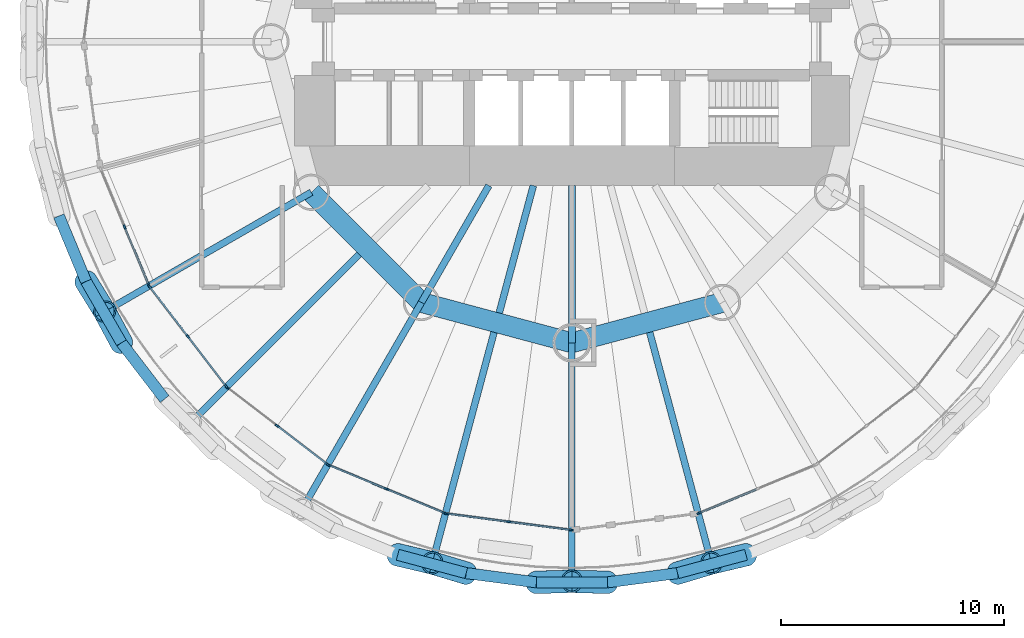
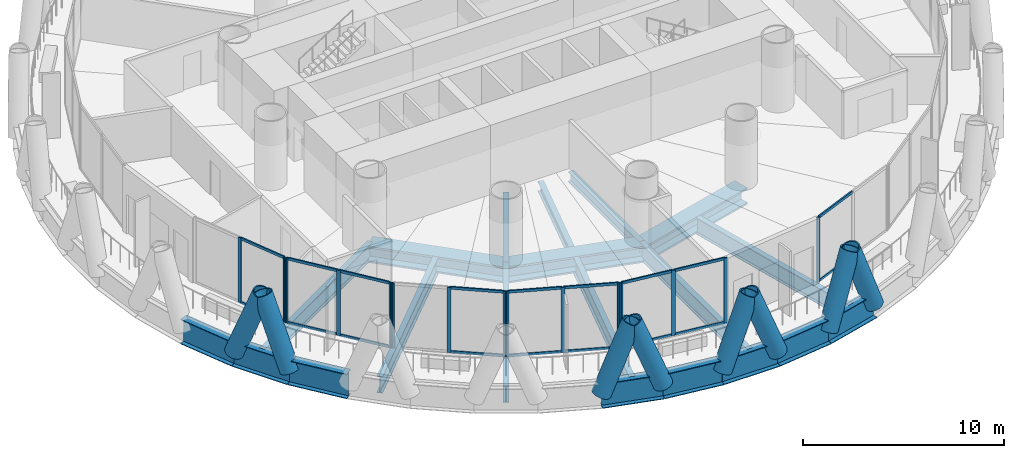
# One storey, part 2 of 15: 41 members, 20 beams, 6 elements without a shape of their own.
"""IFC4 building model written with IfcOpenShell, lengths in metres."""

from ifc_helpers import new_model, si_unit, direction, frame, origin, origin_2d, place, context, subcontext, project, spatial, rectangle, hollow_circle, i_section, extrude, material, material_profile, profile_set, type_object, element, aggregate, save


model = new_model("IFC4")

# Units and contexts
model_context = context("Model", 3, precision=1e-05, world=origin(), true_north=direction((0.0, 1.0)))
body_context = subcontext(model_context, "Body", "Model", "MODEL_VIEW")
ifc_project = project(units=[si_unit("LENGTHUNIT", "METRE"), si_unit("AREAUNIT", "SQUARE_METRE"), si_unit("VOLUMEUNIT", "CUBIC_METRE"), si_unit("PLANEANGLEUNIT", "RADIAN"), si_unit("MASSUNIT", "GRAM", prefix="KILO")], contexts=[model_context])

# Site, building, storey
site_placement = place(None, origin())
site = spatial("IfcSite", under=ifc_project, at=site_placement, CompositionType="ELEMENT")
building_placement = place(site_placement, origin())
building = spatial("IfcBuilding", under=site, at=building_placement, Name="Qaws Media Tower", CompositionType="ELEMENT")
storey_placement = place(building_placement, frame((0.0, 0.0, 189.800048828125)))
storey = spatial("IfcBuildingStorey", under=building, at=storey_placement, Name="L43", CompositionType="ELEMENT", Elevation=189.800048828125)

# Curtain wall, members
ifc_material_1 = material(Name="Aluminium and clear glass", Category="aluminium")
curtain_wall_type = type_object("IfcCurtainWallType", Name="Unitised curtain wall CW-B", PredefinedType="NOTDEFINED", material=ifc_material_1)
curtain_wall_1_placement = place(storey_placement, origin())
curtain_wall_1 = element("IfcCurtainWall", 1, at=curtain_wall_1_placement, inside=storey, type_object=curtain_wall_type, Name="CWB curtain wall L43-14", PredefinedType="NOTDEFINED")
ifc_material_2 = material(Name="Aluminium mullion", Category="aluminium")
ifc_material_profile_1 = material_profile(ifc_material_2, rectangle(XDim=0.080078125, YDim=0.199951171875, at=origin_2d()), Name="80x200")
ifc_profile_set_1 = profile_set([ifc_material_profile_1], Name="Aluminium mullion")
member_type_1 = type_object("IfcMemberType", Name="Curtain wall mullion 80x200", PredefinedType="MULLION", material=ifc_profile_set_1)
member_1_placement = place(storey_placement, frame((39.940185546875, 41.69091796875, 0.0), z_axis=(0.0, 0.0, 1.0), x_axis=(0.923879488556, 0.382683538482, 0.0)))
member_1 = element("IfcMember", 2, at=member_1_placement, type_object=member_type_1, Name="CWB mullion 2", PredefinedType="MULLION", context=body_context, shape_type="SweptSolid", body=[
    extrude(rectangle(XDim=0.080078125, YDim=0.199951171875, at=origin_2d()), origin(), (0.0, 0.0, 1.0), 3.949951171875),
])
member_2_placement = place(storey_placement, frame((41.018798828125, 39.0869140625, 0.0), z_axis=(0.0, 0.0, 1.0), x_axis=(0.923879488556, 0.382683538482, 0.0)))
member_2 = element("IfcMember", 3, at=member_2_placement, type_object=member_type_1, Name="CWB mullion 3", PredefinedType="MULLION", context=body_context, shape_type="SweptSolid", body=[
    extrude(rectangle(XDim=0.080078125, YDim=0.199951171875, at=origin_2d()), origin(), (0.0, 0.0, 1.0), 3.949951171875),
])

curtain_wall_2_placement = place(storey_placement, origin())
curtain_wall_2 = element("IfcCurtainWall", 4, at=curtain_wall_2_placement, inside=storey, type_object=curtain_wall_type, Name="CWB curtain wall L43-15", PredefinedType="NOTDEFINED")
member_3_placement = place(storey_placement, frame((41.058349609375, 39.018310546875, 0.0), z_axis=(0.0, 0.0, 1.0), x_axis=(0.793353442715, 0.608761295527, 0.0)))
member_3 = element("IfcMember", 5, at=member_3_placement, type_object=member_type_1, Name="CWB mullion 1", PredefinedType="MULLION", context=body_context, shape_type="SweptSolid", body=[
    extrude(rectangle(XDim=0.080078125, YDim=0.199951171875, at=origin_2d()), origin(), (0.0, 0.0, 1.0), 3.949951171875),
])
member_4_placement = place(storey_placement, frame((42.774169921875, 36.7822265625, 0.0), z_axis=(0.0, 0.0, 1.0), x_axis=(0.793353442715, 0.608761295527, 0.0)))
member_4 = element("IfcMember", 6, at=member_4_placement, type_object=member_type_1, Name="CWB mullion 2", PredefinedType="MULLION", context=body_context, shape_type="SweptSolid", body=[
    extrude(rectangle(XDim=0.080078125, YDim=0.199951171875, at=origin_2d()), origin(), (0.0, 0.0, 1.0), 3.949951171875),
])
member_5_placement = place(storey_placement, frame((44.489990234375, 34.546142578125, 0.0), z_axis=(0.0, 0.0, 1.0), x_axis=(0.793353442715, 0.608761295527, 0.0)))
member_5 = element("IfcMember", 7, at=member_5_placement, type_object=member_type_1, Name="CWB mullion 3", PredefinedType="MULLION", context=body_context, shape_type="SweptSolid", body=[
    extrude(rectangle(XDim=0.080078125, YDim=0.199951171875, at=origin_2d()), origin(), (0.0, 0.0, 1.0), 3.949951171875),
])

curtain_wall_3_placement = place(storey_placement, origin())
curtain_wall_3 = element("IfcCurtainWall", 8, at=curtain_wall_3_placement, inside=storey, type_object=curtain_wall_type, Name="CWB curtain wall L43-16", PredefinedType="NOTDEFINED")
member_6_placement = place(storey_placement, frame((44.546142578125, 34.489990234375, 0.0), z_axis=(0.0, 0.0, 1.0), x_axis=(0.608761295527, 0.793353442715, 0.0)))
member_6 = element("IfcMember", 9, at=member_6_placement, type_object=member_type_1, Name="CWB mullion 1", PredefinedType="MULLION", context=body_context, shape_type="SweptSolid", body=[
    extrude(rectangle(XDim=0.080078125, YDim=0.199951171875, at=origin_2d()), origin(), (0.0, 0.0, 1.0), 3.949951171875),
])
member_7_placement = place(storey_placement, frame((46.7822265625, 32.774169921875, 0.0), z_axis=(0.0, 0.0, 1.0), x_axis=(0.608761295527, 0.793353442715, 0.0)))
member_7 = element("IfcMember", 10, at=member_7_placement, type_object=member_type_1, Name="CWB mullion 2", PredefinedType="MULLION", context=body_context, shape_type="SweptSolid", body=[
    extrude(rectangle(XDim=0.080078125, YDim=0.199951171875, at=origin_2d()), origin(), (0.0, 0.0, 1.0), 3.949951171875),
])
member_8_placement = place(storey_placement, frame((49.018310546875, 31.058349609375, 0.0), z_axis=(0.0, 0.0, 1.0), x_axis=(0.608761295527, 0.793353442715, 0.0)))
member_8 = element("IfcMember", 11, at=member_8_placement, type_object=member_type_1, Name="CWB mullion 3", PredefinedType="MULLION", context=body_context, shape_type="SweptSolid", body=[
    extrude(rectangle(XDim=0.080078125, YDim=0.199951171875, at=origin_2d()), origin(), (0.0, 0.0, 1.0), 3.949951171875),
])

curtain_wall_4_placement = place(storey_placement, origin())
curtain_wall_4 = element("IfcCurtainWall", 12, at=curtain_wall_4_placement, inside=storey, type_object=curtain_wall_type, Name="CWB curtain wall L43-17", PredefinedType="NOTDEFINED")
member_9_placement = place(storey_placement, frame((49.0869140625, 31.018798828125, 0.0), z_axis=(0.0, 0.0, 1.0), x_axis=(0.382683538482, 0.923879488556, 0.0)))
member_9 = element("IfcMember", 13, at=member_9_placement, type_object=member_type_1, Name="CWB mullion 1", PredefinedType="MULLION", context=body_context, shape_type="SweptSolid", body=[
    extrude(rectangle(XDim=0.080078125, YDim=0.199951171875, at=origin_2d()), origin(), (0.0, 0.0, 1.0), 3.949951171875),
])
member_10_placement = place(storey_placement, frame((51.69091796875, 29.940185546875, 0.0), z_axis=(0.0, 0.0, 1.0), x_axis=(0.382683538482, 0.923879488556, 0.0)))
member_10 = element("IfcMember", 14, at=member_10_placement, type_object=member_type_1, Name="CWB mullion 2", PredefinedType="MULLION", context=body_context, shape_type="SweptSolid", body=[
    extrude(rectangle(XDim=0.080078125, YDim=0.199951171875, at=origin_2d()), origin(), (0.0, 0.0, 1.0), 3.949951171875),
])
member_11_placement = place(storey_placement, frame((54.294921875, 28.861572265625, 0.0), z_axis=(0.0, 0.0, 1.0), x_axis=(0.382683538482, 0.923879488556, 0.0)))
member_11 = element("IfcMember", 15, at=member_11_placement, type_object=member_type_1, Name="CWB mullion 3", PredefinedType="MULLION", context=body_context, shape_type="SweptSolid", body=[
    extrude(rectangle(XDim=0.080078125, YDim=0.199951171875, at=origin_2d()), origin(), (0.0, 0.0, 1.0), 3.949951171875),
])

curtain_wall_5_placement = place(storey_placement, origin())
curtain_wall_5 = element("IfcCurtainWall", 16, at=curtain_wall_5_placement, inside=storey, type_object=curtain_wall_type, Name="CWB curtain wall L43-18", PredefinedType="NOTDEFINED")
member_12_placement = place(storey_placement, frame((54.37158203125, 28.841064453125, 0.0), z_axis=(0.0, 0.0, 1.0), x_axis=(0.1305261247, 0.991444870263, 0.0)))
member_12 = element("IfcMember", 17, at=member_12_placement, type_object=member_type_1, Name="CWB mullion 1", PredefinedType="MULLION", context=body_context, shape_type="SweptSolid", body=[
    extrude(rectangle(XDim=0.080078125, YDim=0.199951171875, at=origin_2d()), origin(), (0.0, 0.0, 1.0), 3.949951171875),
])
member_13_placement = place(storey_placement, frame((57.166015625, 28.47314453125, 0.0), z_axis=(0.0, 0.0, 1.0), x_axis=(0.1305261247, 0.991444870263, 0.0)))
member_13 = element("IfcMember", 18, at=member_13_placement, type_object=member_type_1, Name="CWB mullion 2", PredefinedType="MULLION", context=body_context, shape_type="SweptSolid", body=[
    extrude(rectangle(XDim=0.080078125, YDim=0.199951171875, at=origin_2d()), origin(), (0.0, 0.0, 1.0), 3.949951171875),
])
member_14_placement = place(storey_placement, frame((59.96044921875, 28.105224609375, 0.0), z_axis=(0.0, 0.0, 1.0), x_axis=(0.1305261247, 0.991444870263, 0.0)))
member_14 = element("IfcMember", 19, at=member_14_placement, type_object=member_type_1, Name="CWB mullion 3", PredefinedType="MULLION", context=body_context, shape_type="SweptSolid", body=[
    extrude(rectangle(XDim=0.080078125, YDim=0.199951171875, at=origin_2d()), origin(), (0.0, 0.0, 1.0), 3.949951171875),
])

# Curtain wall, member
curtain_wall_6_placement = place(storey_placement, origin())
curtain_wall_6 = element("IfcCurtainWall", 20, at=curtain_wall_6_placement, inside=storey, type_object=curtain_wall_type, Name="CWB curtain wall L43-20", PredefinedType="NOTDEFINED")
member_15_placement = place(storey_placement, frame((65.705078125, 28.861572265625, 0.0), z_axis=(0.0, 0.0, 1.0), x_axis=(-0.382683538482, 0.923879488556, 0.0)))
member_15 = element("IfcMember", 21, at=member_15_placement, type_object=member_type_1, Name="CWB mullion 1", PredefinedType="MULLION", context=body_context, shape_type="SweptSolid", body=[
    extrude(rectangle(XDim=0.080078125, YDim=0.199951171875, at=origin_2d()), origin(), (0.0, 0.0, 1.0), 3.949951171875),
])

# Member
ifc_material_3 = material(Name="Aluminium transom", Category="aluminium")
ifc_material_profile_2 = material_profile(ifc_material_3, rectangle(XDim=0.080078125, YDim=0.159912109375, at=origin_2d()), Name="80x160")
ifc_profile_set_2 = profile_set([ifc_material_profile_2], Name="Aluminium transom")
member_type_2 = type_object("IfcMemberType", Name="Curtain wall transom 80x160", PredefinedType="USERDEFINED", material=ifc_profile_set_2)
member_16_placement = place(storey_placement, frame((39.955322265625, 41.654052734375, 0.0400390625), z_axis=(0.382721848562, -0.923863619066, 0.0), x_axis=(0.923863619066, 0.382721848562, 0.0)))
member_16 = element("IfcMember", 22, at=member_16_placement, type_object=member_type_2, Name="CWB transom 2.1", ObjectType="TRANSOM", PredefinedType="USERDEFINED", context=body_context, shape_type="SweptSolid", body=[
    extrude(rectangle(XDim=0.080078125, YDim=0.159912109375, at=origin_2d()), origin(), (0.0, 0.0, 1.0), 2.738525390625),
])

member_17_placement = place(storey_placement, frame((39.955322265625, 41.654052734375, 3.909912109375), z_axis=(0.382721848562, -0.923863619066, 0.0), x_axis=(0.923863619066, 0.382721848562, 0.0)))
member_17 = element("IfcMember", 23, at=member_17_placement, type_object=member_type_2, Name="CWB transom 2.2", ObjectType="TRANSOM", PredefinedType="USERDEFINED", context=body_context, shape_type="SweptSolid", body=[
    extrude(rectangle(XDim=0.080078125, YDim=0.159912109375, at=origin_2d()), origin(), (0.0, 0.0, 1.0), 2.738525390625),
])

aggregate(curtain_wall_1, [member_1, member_2, member_16, member_17])

member_18_placement = place(storey_placement, frame((41.082763671875, 38.986572265625, 0.0400390625), z_axis=(0.608736577842, -0.793372408644, 0.0), x_axis=(0.793372408644, 0.608736577842, 0.0)))
member_18 = element("IfcMember", 24, at=member_18_placement, type_object=member_type_2, Name="CWB transom 1.1", ObjectType="TRANSOM", PredefinedType="USERDEFINED", context=body_context, shape_type="SweptSolid", body=[
    extrude(rectangle(XDim=0.080078125, YDim=0.159912109375, at=origin_2d()), origin(), (0.0, 0.0, 1.0), 2.738525390625),
])

member_19_placement = place(storey_placement, frame((41.082763671875, 38.986572265625, 3.909912109375), z_axis=(0.608736577842, -0.793372408644, 0.0), x_axis=(0.793372408644, 0.608736577842, 0.0)))
member_19 = element("IfcMember", 25, at=member_19_placement, type_object=member_type_2, Name="CWB transom 1.2", ObjectType="TRANSOM", PredefinedType="USERDEFINED", context=body_context, shape_type="SweptSolid", body=[
    extrude(rectangle(XDim=0.080078125, YDim=0.159912109375, at=origin_2d()), origin(), (0.0, 0.0, 1.0), 2.738525390625),
])

member_20_placement = place(storey_placement, frame((42.798583984375, 36.75048828125, 0.0400390625), z_axis=(0.608736577842, -0.793372408644, 0.0), x_axis=(0.793372408644, 0.608736577842, 0.0)))
member_20 = element("IfcMember", 26, at=member_20_placement, type_object=member_type_2, Name="CWB transom 2.1", ObjectType="TRANSOM", PredefinedType="USERDEFINED", context=body_context, shape_type="SweptSolid", body=[
    extrude(rectangle(XDim=0.080078125, YDim=0.159912109375, at=origin_2d()), origin(), (0.0, 0.0, 1.0), 2.738525390625),
])

member_21_placement = place(storey_placement, frame((42.798583984375, 36.75048828125, 3.909912109375), z_axis=(0.608736577842, -0.793372408644, 0.0), x_axis=(0.793372408644, 0.608736577842, 0.0)))
member_21 = element("IfcMember", 27, at=member_21_placement, type_object=member_type_2, Name="CWB transom 2.2", ObjectType="TRANSOM", PredefinedType="USERDEFINED", context=body_context, shape_type="SweptSolid", body=[
    extrude(rectangle(XDim=0.080078125, YDim=0.159912109375, at=origin_2d()), origin(), (0.0, 0.0, 1.0), 2.738525390625),
])

aggregate(curtain_wall_2, [member_3, member_4, member_5, member_18, member_19, member_20, member_21])

member_22_placement = place(storey_placement, frame((46.81396484375, 32.749755859375, 0.0400390625), z_axis=(0.793372408644, -0.608736577842, 0.0), x_axis=(0.608736577842, 0.793372408644, 0.0)))
member_22 = element("IfcMember", 28, at=member_22_placement, type_object=member_type_2, Name="CWB transom 2.1", ObjectType="TRANSOM", PredefinedType="USERDEFINED", context=body_context, shape_type="SweptSolid", body=[
    extrude(rectangle(XDim=0.080078125, YDim=0.159912109375, at=origin_2d()), origin(), (0.0, 0.0, 1.0), 2.738525390625),
])

member_23_placement = place(storey_placement, frame((46.81396484375, 32.749755859375, 3.909912109375), z_axis=(0.793372408644, -0.608736577842, 0.0), x_axis=(0.608736577842, 0.793372408644, 0.0)))
member_23 = element("IfcMember", 29, at=member_23_placement, type_object=member_type_2, Name="CWB transom 2.2", ObjectType="TRANSOM", PredefinedType="USERDEFINED", context=body_context, shape_type="SweptSolid", body=[
    extrude(rectangle(XDim=0.080078125, YDim=0.159912109375, at=origin_2d()), origin(), (0.0, 0.0, 1.0), 2.738525390625),
])

aggregate(curtain_wall_3, [member_6, member_7, member_8, member_22, member_23])

member_24_placement = place(storey_placement, frame((49.1240234375, 31.00341796875, 0.0400390625), z_axis=(0.923863619066, -0.382721848562, 0.0), x_axis=(0.382721848562, 0.923863619066, 0.0)))
member_24 = element("IfcMember", 30, at=member_24_placement, type_object=member_type_2, Name="CWB transom 1.1", ObjectType="TRANSOM", PredefinedType="USERDEFINED", context=body_context, shape_type="SweptSolid", body=[
    extrude(rectangle(XDim=0.080078125, YDim=0.159912109375, at=origin_2d()), origin(), (0.0, 0.0, 1.0), 2.738525390625),
])

member_25_placement = place(storey_placement, frame((49.1240234375, 31.00341796875, 3.909912109375), z_axis=(0.923863619066, -0.382721848562, 0.0), x_axis=(0.382721848562, 0.923863619066, 0.0)))
member_25 = element("IfcMember", 31, at=member_25_placement, type_object=member_type_2, Name="CWB transom 1.2", ObjectType="TRANSOM", PredefinedType="USERDEFINED", context=body_context, shape_type="SweptSolid", body=[
    extrude(rectangle(XDim=0.080078125, YDim=0.159912109375, at=origin_2d()), origin(), (0.0, 0.0, 1.0), 2.738525390625),
])

member_26_placement = place(storey_placement, frame((51.727783203125, 29.9248046875, 0.0400390625), z_axis=(0.923908190995, -0.382614237336, 0.0), x_axis=(0.382614237336, 0.923908190995, 0.0)))
member_26 = element("IfcMember", 32, at=member_26_placement, type_object=member_type_2, Name="CWB transom 2.1", ObjectType="TRANSOM", PredefinedType="USERDEFINED", context=body_context, shape_type="SweptSolid", body=[
    extrude(rectangle(XDim=0.080078125, YDim=0.159912109375, at=origin_2d()), origin(), (0.0, 0.0, 1.0), 2.73876953125),
])

member_27_placement = place(storey_placement, frame((51.727783203125, 29.9248046875, 3.909912109375), z_axis=(0.923908190995, -0.382614237336, 0.0), x_axis=(0.382614237336, 0.923908190995, 0.0)))
member_27 = element("IfcMember", 33, at=member_27_placement, type_object=member_type_2, Name="CWB transom 2.2", ObjectType="TRANSOM", PredefinedType="USERDEFINED", context=body_context, shape_type="SweptSolid", body=[
    extrude(rectangle(XDim=0.080078125, YDim=0.159912109375, at=origin_2d()), origin(), (0.0, 0.0, 1.0), 2.73876953125),
])

aggregate(curtain_wall_4, [member_9, member_10, member_11, member_24, member_25, member_26, member_27])

member_28_placement = place(storey_placement, frame((54.4111328125, 28.835693359375, 0.0400390625), z_axis=(0.991446100695, -0.130516778295, 0.0), x_axis=(0.130516778295, 0.991446100695, 0.0)))
member_28 = element("IfcMember", 34, at=member_28_placement, type_object=member_type_2, Name="CWB transom 1.1", ObjectType="TRANSOM", PredefinedType="USERDEFINED", context=body_context, shape_type="SweptSolid", body=[
    extrude(rectangle(XDim=0.080078125, YDim=0.159912109375, at=origin_2d()), origin(), (0.0, 0.0, 1.0), 2.738525390625),
])

member_29_placement = place(storey_placement, frame((54.4111328125, 28.835693359375, 3.909912109375), z_axis=(0.991446100695, -0.130516778295, 0.0), x_axis=(0.130516778295, 0.991446100695, 0.0)))
member_29 = element("IfcMember", 35, at=member_29_placement, type_object=member_type_2, Name="CWB transom 1.2", ObjectType="TRANSOM", PredefinedType="USERDEFINED", context=body_context, shape_type="SweptSolid", body=[
    extrude(rectangle(XDim=0.080078125, YDim=0.159912109375, at=origin_2d()), origin(), (0.0, 0.0, 1.0), 2.738525390625),
])

member_30_placement = place(storey_placement, frame((57.20556640625, 28.4677734375, 0.0400390625), z_axis=(0.991446100695, -0.130516778295, 0.0), x_axis=(0.130516778295, 0.991446100695, 0.0)))
member_30 = element("IfcMember", 36, at=member_30_placement, type_object=member_type_2, Name="CWB transom 2.1", ObjectType="TRANSOM", PredefinedType="USERDEFINED", context=body_context, shape_type="SweptSolid", body=[
    extrude(rectangle(XDim=0.080078125, YDim=0.159912109375, at=origin_2d()), origin(), (0.0, 0.0, 1.0), 2.738525390625),
])

member_31_placement = place(storey_placement, frame((57.20556640625, 28.4677734375, 3.909912109375), z_axis=(0.991446100695, -0.130516778295, 0.0), x_axis=(0.130516778295, 0.991446100695, 0.0)))
member_31 = element("IfcMember", 37, at=member_31_placement, type_object=member_type_2, Name="CWB transom 2.2", ObjectType="TRANSOM", PredefinedType="USERDEFINED", context=body_context, shape_type="SweptSolid", body=[
    extrude(rectangle(XDim=0.080078125, YDim=0.159912109375, at=origin_2d()), origin(), (0.0, 0.0, 1.0), 2.738525390625),
])

aggregate(curtain_wall_5, [member_12, member_13, member_14, member_28, member_29, member_30, member_31])

member_32_placement = place(storey_placement, frame((65.741943359375, 28.876953125, 0.0400390625), z_axis=(0.923908190995, 0.382614237336, 0.0), x_axis=(-0.382614237336, 0.923908190995, 0.0)))
member_32 = element("IfcMember", 38, at=member_32_placement, type_object=member_type_2, Name="CWB transom 1.1", ObjectType="TRANSOM", PredefinedType="USERDEFINED", context=body_context, shape_type="SweptSolid", body=[
    extrude(rectangle(XDim=0.080078125, YDim=0.159912109375, at=origin_2d()), origin(), (0.0, 0.0, 1.0), 2.73876953125),
])

member_33_placement = place(storey_placement, frame((65.741943359375, 28.876953125, 3.909912109375), z_axis=(0.923908190995, 0.382614237336, 0.0), x_axis=(-0.382614237336, 0.923908190995, 0.0)))
member_33 = element("IfcMember", 39, at=member_33_placement, type_object=member_type_2, Name="CWB transom 1.2", ObjectType="TRANSOM", PredefinedType="USERDEFINED", context=body_context, shape_type="SweptSolid", body=[
    extrude(rectangle(XDim=0.080078125, YDim=0.159912109375, at=origin_2d()), origin(), (0.0, 0.0, 1.0), 2.73876953125),
])

aggregate(curtain_wall_6, [member_15, member_32, member_33])

# Members
ifc_material_4 = material(Name="Steel S460", Category="steel")
ifc_material_profile_3 = material_profile(ifc_material_4, hollow_circle(Radius=0.508056640625, WallThickness=0.070068359375, at=origin_2d()), Name="CHS 1016x70")
ifc_profile_set_3 = profile_set([ifc_material_profile_3], Name="Steel S460")
member_type_3 = type_object("IfcMemberType", Name="Diagrid member CHS 1016x70", PredefinedType="USERDEFINED", material=ifc_profile_set_3)
member_34_placement = place(storey_placement, frame((38.2060546875, 39.25244140625, -0.91015625), z_axis=(0.189739933408, -0.306907804695, 0.932634096035), x_axis=(0.850575840925, 0.52585239263, 0.0)))
element("IfcMember", 40, at=member_34_placement, inside=storey, type_object=member_type_3, Name="DG3 diagrid L43 A14", ObjectType="DIAGRID", PredefinedType="USERDEFINED", context=body_context, shape_type="SweptSolid", body=[
    extrude(hollow_circle(Radius=0.508056640625, WallThickness=0.070068359375, at=origin_2d()), origin(), (0.0, 0.0, 1.0), 4.406982421875),
])
member_35_placement = place(storey_placement, frame((39.795166015625, 36.499755859375, -0.91015625), z_axis=(-0.170854528949, 0.317720727472, 0.932664070967), x_axis=(-0.880732319402, -0.473614380652, 0.0)))
element("IfcMember", 41, at=member_35_placement, inside=storey, type_object=member_type_3, Name="DG3 diagrid L43 B15", ObjectType="DIAGRID", PredefinedType="USERDEFINED", context=body_context, shape_type="SweptSolid", body=[
    extrude(hollow_circle(Radius=0.508056640625, WallThickness=0.070068359375, at=origin_2d()), origin(), (0.0, 0.0, 1.0), 4.40673828125),
])
for number, where, z_axis, x_axis, name in (
    (42, (52.18896484375, 26.989501953125, -0.91015625), (0.351173528591, -0.082821332267, 0.93264021988), (0.229544227217, 0.973298231659, 0.0), "DG3 diagrid L43 A17"),
    (43, (58.41064453125, 25.751953125, -0.91015625), (0.360646204892, 0.010913564111, 0.932638841683), (-0.030247290609, 0.999542446028, 0.0), "DG3 diagrid L43 A18"),
    (44, (55.25927734375, 26.1669921875, -0.91015625), (-0.345525971194, 0.103818449578, 0.932648665231), (-0.287756392194, -0.957703638268, 0.0), "DG3 diagrid L43 B18"),
    (45, (64.74072265625, 26.1669921875, -0.91015625), (0.345525971194, 0.103818449578, 0.932648665231), (-0.287756392194, 0.957703638268, 0.0), "DG3 diagrid L43 A19"),
    (46, (61.58935546875, 25.751953125, -0.91015625), (-0.360646204892, 0.010913564111, 0.932638841683), (-0.030247290609, -0.999542446028, 0.0), "DG3 diagrid L43 B19"),
    (47, (67.81103515625, 26.989501953125, -0.91015625), (-0.351173528591, -0.082821332267, 0.93264021988), (0.229544227217, -0.973298231659, 0.0), "DG3 diagrid L43 B20"),
):
    element("IfcMember", number, at=place(storey_placement, frame(where, z_axis=z_axis, x_axis=x_axis)), inside=storey, type_object=member_type_3, Name=name, ObjectType="DIAGRID", PredefinedType="USERDEFINED", context=body_context, shape_type="SweptSolid", body=[
        extrude(hollow_circle(Radius=0.508056640625, WallThickness=0.070068359375, at=origin_2d()), origin(), (0.0, 0.0, 1.0), 4.406982421875),
    ])

# Beams
ifc_material_5 = material(Name="Steel S460", Category="steel")
ifc_material_profile_4 = material_profile(ifc_material_5, i_section(OverallWidth=0.5, OverallDepth=1.5, WebThickness=0.02001953125, FlangeThickness=0.0400390625, at=origin_2d()), Name="PG 1500x500")
ifc_profile_set_4 = profile_set([ifc_material_profile_4], Name="Steel S460")
beam_type_1 = type_object("IfcBeamType", Name="Edge ring beam PG 1500x500", PredefinedType="BEAM", material=ifc_profile_set_4)
for number, where, z_axis, x_axis, name in (
    (48, (36.989501953125, 42.18896484375, -0.91015625), (0.382738454719, -0.923856739586, 0.0), (0.923856739586, 0.382738454719, 0.0), "RB4 edge ring beam L43-27"),
    (49, (38.2060546875, 39.25244140625, -0.91015625), (0.499964035507, -0.866046166898, 0.0), (0.866046166898, 0.499964035507, 0.0), "RB4 edge ring beam L43-28"),
):
    element("IfcBeam", number, at=place(storey_placement, frame(where, z_axis=z_axis, x_axis=x_axis)), inside=storey, type_object=beam_type_1, Name=name, PredefinedType="BEAM", context=body_context, shape_type="SweptSolid", body=[
        extrude(i_section(OverallWidth=0.5, OverallDepth=1.5, WebThickness=0.02001953125, FlangeThickness=0.0400390625, at=origin_2d()), origin(), (0.0, 0.0, 1.0), 3.178466796875),
    ])
beam_1_placement = place(storey_placement, frame((39.795166015625, 36.499755859375, -0.91015625), z_axis=(0.608737849016, -0.7933714333, 0.0), x_axis=(0.7933714333, 0.608737849016, 0.0)))
element("IfcBeam", 50, at=beam_1_placement, inside=storey, type_object=beam_type_1, Name="RB4 edge ring beam L43-29", PredefinedType="BEAM", context=body_context, shape_type="SweptSolid", body=[
    extrude(i_section(OverallWidth=0.5, OverallDepth=1.5, WebThickness=0.02001953125, FlangeThickness=0.0400390625, at=origin_2d()), origin(), (0.0, 0.0, 1.0), 3.1787109375),
])
for number, where, z_axis, x_axis, name in (
    (51, (52.18896484375, 26.989501953125, -0.91015625), (0.965939824014, -0.258766799229, 0.0), (0.258766799229, 0.965939824014, 0.0), "RB4 edge ring beam L43-34"),
    (52, (55.25927734375, 26.1669921875, -0.91015625), (0.991438602588, -0.130573723613, 0.0), (0.130573723613, 0.991438602588, 0.0), "RB4 edge ring beam L43-35"),
):
    element("IfcBeam", number, at=place(storey_placement, frame(where, z_axis=z_axis, x_axis=x_axis)), inside=storey, type_object=beam_type_1, Name=name, PredefinedType="BEAM", context=body_context, shape_type="SweptSolid", body=[
        extrude(i_section(OverallWidth=0.5, OverallDepth=1.5, WebThickness=0.02001953125, FlangeThickness=0.0400390625, at=origin_2d()), origin(), (0.0, 0.0, 1.0), 3.178466796875),
    ])
beam_2_placement = place(storey_placement, frame((58.41064453125, 25.751953125, -0.91015625), z_axis=(1.0, 0.0, 0.0), x_axis=(0.0, 1.0, 0.0)))
element("IfcBeam", 53, at=beam_2_placement, inside=storey, type_object=beam_type_1, Name="RB4 edge ring beam L43-36", PredefinedType="BEAM", context=body_context, shape_type="SweptSolid", body=[
    extrude(i_section(OverallWidth=0.5, OverallDepth=1.5, WebThickness=0.02001953125, FlangeThickness=0.0400390625, at=origin_2d()), origin(), (0.0, 0.0, 1.0), 3.1787109375),
])
for number, where, z_axis, x_axis, name in (
    (54, (61.58935546875, 25.751953125, -0.91015625), (0.991438602588, 0.130573723613, 0.0), (-0.130573723613, 0.991438602588, 0.0), "RB4 edge ring beam L43-37"),
    (55, (64.74072265625, 26.1669921875, -0.91015625), (0.965939824014, 0.258766799229, 0.0), (-0.258766799229, 0.965939824014, 0.0), "RB4 edge ring beam L43-38"),
):
    element("IfcBeam", number, at=place(storey_placement, frame(where, z_axis=z_axis, x_axis=x_axis)), inside=storey, type_object=beam_type_1, Name=name, PredefinedType="BEAM", context=body_context, shape_type="SweptSolid", body=[
        extrude(i_section(OverallWidth=0.5, OverallDepth=1.5, WebThickness=0.02001953125, FlangeThickness=0.0400390625, at=origin_2d()), origin(), (0.0, 0.0, 1.0), 3.178466796875),
    ])
ifc_material_6 = material(Name="Steel S460", Category="steel")
ifc_material_profile_5 = material_profile(ifc_material_6, i_section(OverallWidth=0.89990234375, OverallDepth=1.0, WebThickness=0.044921875, FlangeThickness=0.110107421875, at=origin_2d()), Name="PG 1000x900")
ifc_profile_set_5 = profile_set([ifc_material_profile_5], Name="Steel S460")
beam_type_2 = type_object("IfcBeamType", Name="Inner ring girder PG 1000x900", PredefinedType="BEAM", material=ifc_profile_set_5)
beam_3_placement = place(storey_placement, frame((48.30859375, 43.25, -0.66015625), z_axis=(0.707106781187, -0.707106781187, 0.0), x_axis=(0.707106781187, 0.707106781187, 0.0)))
element("IfcBeam", 56, at=beam_3_placement, inside=storey, type_object=beam_type_2, Name="B3 inner ring beam L43 I08-I09", PredefinedType="BEAM", context=body_context, shape_type="SweptSolid", body=[
    extrude(i_section(OverallWidth=0.89990234375, OverallDepth=1.0, WebThickness=0.044921875, FlangeThickness=0.110107421875, at=origin_2d()), origin(), (0.0, 0.0, 1.0), 6.98828125),
])
for number, where, z_axis, x_axis, name in (
    (57, (53.25, 38.30859375, -0.66015625), (0.965928090778, -0.258810593767, 0.0), (0.258810593767, 0.965928090778, 0.0), "B3 inner ring beam L43 I09-I10"),
    (58, (60.0, 36.5, -0.66015625), (0.965928090778, 0.258810593767, 0.0), (-0.258810593767, 0.965928090778, 0.0), "B3 inner ring beam L43 I10-I11"),
):
    element("IfcBeam", number, at=place(storey_placement, frame(where, z_axis=z_axis, x_axis=x_axis)), inside=storey, type_object=beam_type_2, Name=name, PredefinedType="BEAM", context=body_context, shape_type="SweptSolid", body=[
        extrude(i_section(OverallWidth=0.89990234375, OverallDepth=1.0, WebThickness=0.044921875, FlangeThickness=0.110107421875, at=origin_2d()), origin(), (0.0, 0.0, 1.0), 6.988037109375),
    ])
ifc_material_7 = material(Name="Steel S355", Category="steel")
ifc_material_profile_6 = material_profile(ifc_material_7, i_section(OverallWidth=0.302001953125, OverallDepth=1.008056640625, WebThickness=0.02099609375, FlangeThickness=0.0400390625, FilletRadius=0.030029296875, at=origin_2d()), Name="HE 1000 M")
ifc_profile_set_6 = profile_set([ifc_material_profile_6], Name="Steel S355")
beam_type_3 = type_object("IfcBeamType", Name="Radial beam HE 1000 M", PredefinedType="BEAM", material=ifc_profile_set_6)
beam_4_placement = place(storey_placement, frame((48.30859375, 43.25, -0.6640625), z_axis=(-0.866020279306, -0.500008875753, 0.0), x_axis=(0.500008875753, -0.866020279306, 0.0)))
element("IfcBeam", 59, at=beam_4_placement, inside=storey, type_object=beam_type_3, Name="B1 radial beam L43 15", PredefinedType="BEAM", context=body_context, shape_type="SweptSolid", body=[
    extrude(i_section(OverallWidth=0.302001953125, OverallDepth=1.008056640625, WebThickness=0.02099609375, FlangeThickness=0.0400390625, FilletRadius=0.030029296875, at=origin_2d()), origin(), (0.0, 0.0, 1.0), 10.747802734375),
])
beam_5_placement = place(storey_placement, frame((50.461181640625, 40.461181640625, -0.6640625), z_axis=(-0.707106781187, -0.707106781187, 0.0), x_axis=(0.707106781187, -0.707106781187, 0.0)))
element("IfcBeam", 60, at=beam_5_placement, inside=storey, type_object=beam_type_3, Name="B1 radial beam L43 16", PredefinedType="BEAM", context=body_context, shape_type="SweptSolid", body=[
    extrude(i_section(OverallWidth=0.302001953125, OverallDepth=1.008056640625, WebThickness=0.02099609375, FlangeThickness=0.0400390625, FilletRadius=0.030029296875, at=origin_2d()), origin(), (0.0, 0.0, 1.0), 10.758056640625),
])
beam_6_placement = place(storey_placement, frame((53.25, 38.30859375, -0.6640625), z_axis=(-0.500008875753, -0.866020279306, 0.0), x_axis=(0.866020279306, -0.500008875753, 0.0)))
element("IfcBeam", 61, at=beam_6_placement, inside=storey, type_object=beam_type_3, Name="B1 radial beam L43 17", PredefinedType="BEAM", context=body_context, shape_type="SweptSolid", body=[
    extrude(i_section(OverallWidth=0.302001953125, OverallDepth=1.008056640625, WebThickness=0.02099609375, FlangeThickness=0.0400390625, FilletRadius=0.030029296875, at=origin_2d()), origin(), (0.0, 0.0, 1.0), 10.747802734375),
])
beam_7_placement = place(storey_placement, frame((56.508544921875, 36.9697265625, -0.6640625), z_axis=(-0.258824942473, -0.965924246074, 0.0), x_axis=(0.965924246074, -0.258824942473, 0.0)))
element("IfcBeam", 62, at=beam_7_placement, inside=storey, type_object=beam_type_3, Name="B1 radial beam L43 18", PredefinedType="BEAM", context=body_context, shape_type="SweptSolid", body=[
    extrude(i_section(OverallWidth=0.302001953125, OverallDepth=1.008056640625, WebThickness=0.02099609375, FlangeThickness=0.0400390625, FilletRadius=0.030029296875, at=origin_2d()), origin(), (0.0, 0.0, 1.0), 10.758056640625),
])
beam_8_placement = place(storey_placement, frame((60.0, 36.5, -0.6640625), z_axis=(0.0, -1.0, 0.0), x_axis=(1.0, 0.0, 0.0)))
element("IfcBeam", 63, at=beam_8_placement, inside=storey, type_object=beam_type_3, Name="B1 radial beam L43 19", PredefinedType="BEAM", context=body_context, shape_type="SweptSolid", body=[
    extrude(i_section(OverallWidth=0.302001953125, OverallDepth=1.008056640625, WebThickness=0.02099609375, FlangeThickness=0.0400390625, FilletRadius=0.030029296875, at=origin_2d()), origin(), (0.0, 0.0, 1.0), 10.748046875),
])
beam_9_placement = place(storey_placement, frame((63.491455078125, 36.9697265625, -0.6640625), z_axis=(0.258824942473, -0.965924246074, 0.0), x_axis=(0.965924246074, 0.258824942473, 0.0)))
element("IfcBeam", 64, at=beam_9_placement, inside=storey, type_object=beam_type_3, Name="B1 radial beam L43 20", PredefinedType="BEAM", context=body_context, shape_type="SweptSolid", body=[
    extrude(i_section(OverallWidth=0.302001953125, OverallDepth=1.008056640625, WebThickness=0.02099609375, FlangeThickness=0.0400390625, FilletRadius=0.030029296875, at=origin_2d()), origin(), (0.0, 0.0, 1.0), 10.758056640625),
])
ifc_material_8 = material(Name="Steel S355", Category="steel")
ifc_material_profile_7 = material_profile(ifc_material_8, i_section(OverallWidth=0.304931640625, OverallDepth=0.6201171875, WebThickness=0.02099609375, FlangeThickness=0.0400390625, FilletRadius=0.027099609375, at=origin_2d()), Name="HE 600 M")
ifc_profile_set_7 = profile_set([ifc_material_profile_7], Name="Steel S355")
beam_type_4 = type_object("IfcBeamType", Name="Radial beam HE 600 M, core side", PredefinedType="BEAM", material=ifc_profile_set_7)
beam_10_placement = place(storey_placement, frame((56.276123046875, 43.550048828125, -0.469970703125), z_axis=(-0.499995978368, -0.866027725662, 0.0), x_axis=(0.866027725662, -0.499995978368, 0.0)))
element("IfcBeam", 65, at=beam_10_placement, inside=storey, type_object=beam_type_4, Name="B2 radial beam L43 17", PredefinedType="BEAM", context=body_context, shape_type="SweptSolid", body=[
    extrude(i_section(OverallWidth=0.304931640625, OverallDepth=0.6201171875, WebThickness=0.02099609375, FlangeThickness=0.0400390625, FilletRadius=0.027099609375, at=origin_2d()), origin(), (0.0, 0.0, 1.0), 6.05224609375),
])
beam_11_placement = place(storey_placement, frame((58.271728515625, 43.550048828125, -0.469970703125), z_axis=(-0.258824149545, -0.965924458543, 0.0), x_axis=(0.965924458543, -0.258824149545, 0.0)))
element("IfcBeam", 66, at=beam_11_placement, inside=storey, type_object=beam_type_4, Name="B2 radial beam L43 18", PredefinedType="BEAM", context=body_context, shape_type="SweptSolid", body=[
    extrude(i_section(OverallWidth=0.304931640625, OverallDepth=0.6201171875, WebThickness=0.02099609375, FlangeThickness=0.0400390625, FilletRadius=0.027099609375, at=origin_2d()), origin(), (0.0, 0.0, 1.0), 5.912353515625),
])
beam_12_placement = place(storey_placement, frame((60.0, 43.550048828125, -0.469970703125), z_axis=(0.0, -1.0, 0.0), x_axis=(1.0, 0.0, 0.0)))
element("IfcBeam", 67, at=beam_12_placement, inside=storey, type_object=beam_type_4, Name="B2 radial beam L43 19", PredefinedType="BEAM", context=body_context, shape_type="SweptSolid", body=[
    extrude(i_section(OverallWidth=0.304931640625, OverallDepth=0.6201171875, WebThickness=0.02099609375, FlangeThickness=0.0400390625, FilletRadius=0.027099609375, at=origin_2d()), origin(), (0.0, 0.0, 1.0), 7.050048828125),
])

save(model, "model.ifc")
